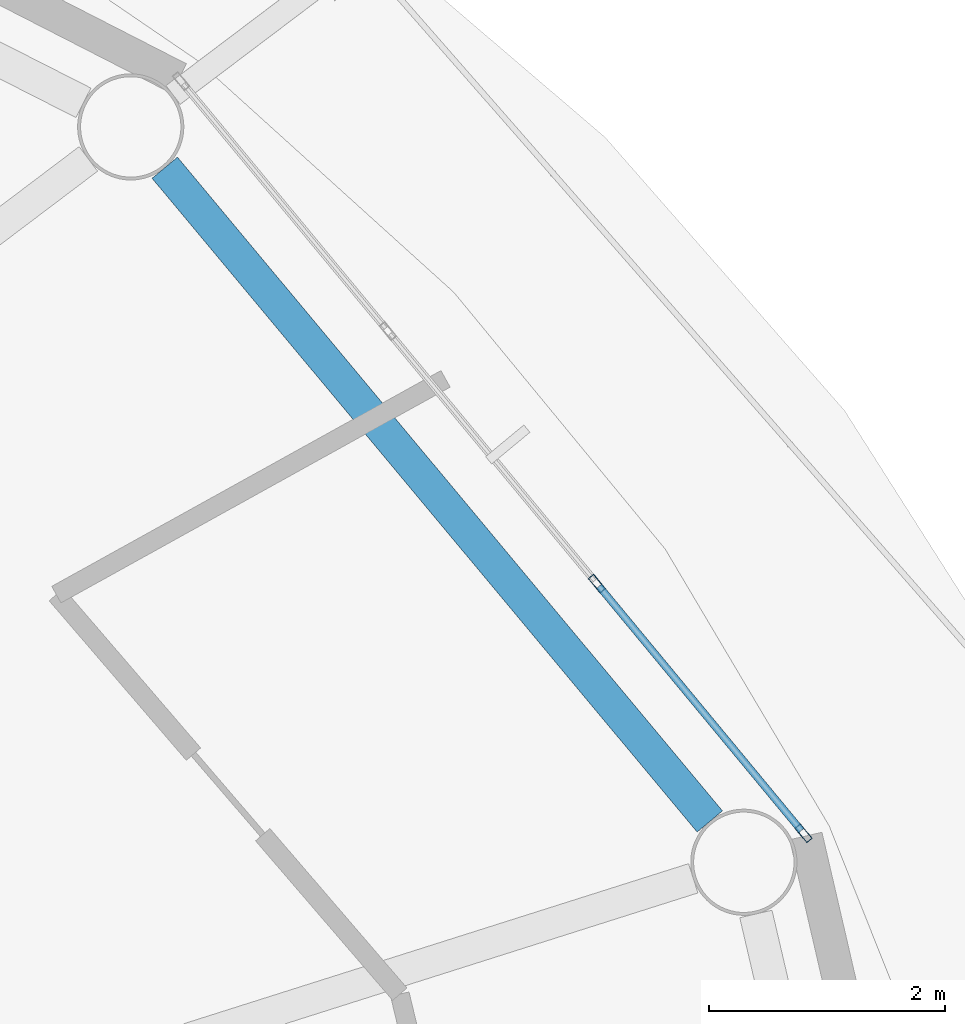
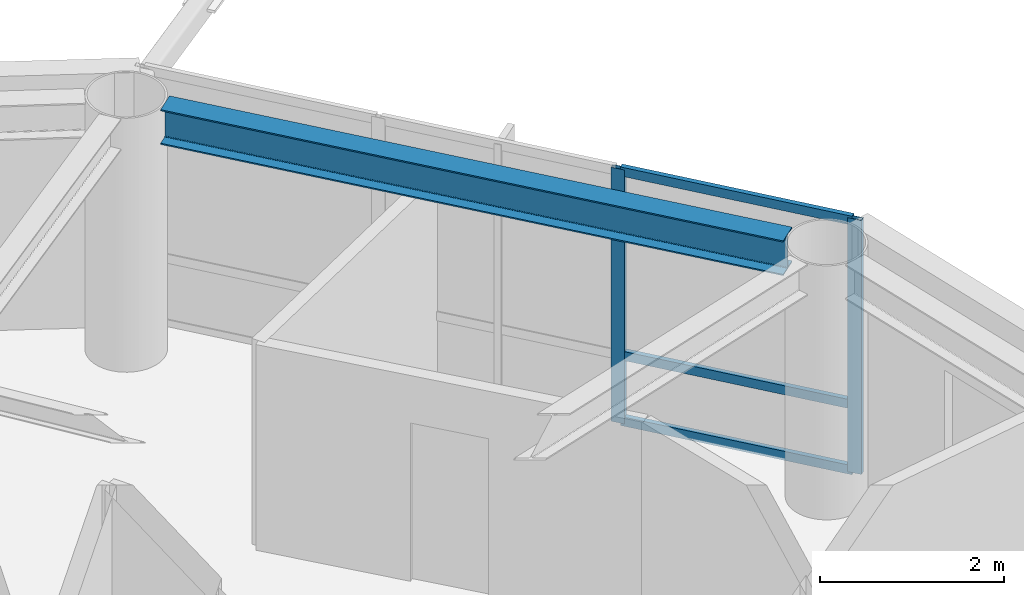
# One storey, part 7 of 22: 5 members, 1 beam, 1 element without a shape of its own.
"""IFC4 building model written with IfcOpenShell, lengths in metres."""

from ifc_helpers import new_model, si_unit, direction, frame, origin, origin_2d, place, context, subcontext, project, spatial, hollow_rectangle, i_section, extrude, material, layer, layer_set, material_profile, profile_set, type_object, element, aggregate, save


model = new_model("IFC4")

# Units and contexts
model_context = context("Model", 3, precision=1e-05, world=origin(), true_north=direction((0.0, 1.0)))
body_context = subcontext(model_context, "Body", "Model", "MODEL_VIEW")
ifc_project = project(units=[si_unit("LENGTHUNIT", "METRE"), si_unit("AREAUNIT", "SQUARE_METRE"), si_unit("VOLUMEUNIT", "CUBIC_METRE"), si_unit("PLANEANGLEUNIT", "RADIAN"), si_unit("MASSUNIT", "GRAM", prefix="KILO")], contexts=[model_context])

# Site, building, storey
site_placement = place(None, origin())
site = spatial("IfcSite", under=ifc_project, at=site_placement, CompositionType="ELEMENT")
building_placement = place(site_placement, origin())
building = spatial("IfcBuilding", under=site, at=building_placement, Name="Sarneth Arch Tower", CompositionType="ELEMENT")
storey_placement = place(building_placement, frame((0.0, 0.0, 294.60009765625)))
storey = spatial("IfcBuildingStorey", under=building, at=storey_placement, Name="L76", CompositionType="ELEMENT", Elevation=294.60009765625)

# Beam
ifc_material_1 = material(Name="Steel S355", Category="steel")
ifc_material_profile_1 = material_profile(ifc_material_1, i_section(OverallWidth=0.280029296875, OverallDepth=0.462890625, WebThickness=0.0107421875, FlangeThickness=0.017333984375, FilletRadius=0.01806640625, at=origin_2d()), Name="W460x113")
ifc_profile_set_1 = profile_set([ifc_material_profile_1], Name="Steel S355")
beam_type = type_object("IfcBeamType", Name="BM-RAD-460A", PredefinedType="BEAM", material=ifc_profile_set_1)
beam_placement = place(storey_placement, frame((70.880615234375, 49.693115234375, 3.138427734375), z_axis=(-0.640390876881, 0.768049168222, 0.0), x_axis=(-0.768049168222, -0.640390876881, 0.0)))
element("IfcBeam", 1, at=beam_placement, inside=storey, type_object=beam_type, Name="L76 Perimeter spandrel beam 02", PredefinedType="BEAM", context=body_context, shape_type="SweptSolid", body=[
    extrude(i_section(OverallWidth=0.280029296875, OverallDepth=0.462890625, WebThickness=0.0107421875, FlangeThickness=0.017333984375, FilletRadius=0.01806640625, at=origin_2d()), origin(), (0.0, 0.0, 1.0), 7.2099609375),
])

# Curtain wall, members
ifc_material_2 = material(Name="Anodised aluminium Type AA25 and solar-control low-e laminated IGU", Category="aluminium")
ifc_layer = layer(ifc_material_2, 0.179931640625)
ifc_layer_set = layer_set([ifc_layer], Name="Anodised aluminium Type AA25 and solar-control low-e laminated IGU")
curtain_wall_type = type_object("IfcCurtainWallType", Name="CW-RES-HIGH", PredefinedType="NOTDEFINED", material=ifc_layer_set)
curtain_wall_placement = place(storey_placement, origin())
curtain_wall = element("IfcCurtainWall", 2, at=curtain_wall_placement, inside=storey, type_object=curtain_wall_type, Name="L76 Unitised curtain wall facet 02", PredefinedType="NOTDEFINED")
ifc_material_3 = material(Name="Anodised Aluminium 6063-T6", Category="aluminium")
ifc_material_profile_2 = material_profile(ifc_material_3, hollow_rectangle(XDim=0.06005859375, YDim=0.159912109375, WallThickness=0.00390625, at=origin_2d()), Name="AL-MULL-160x60x4")
ifc_profile_set_2 = profile_set([ifc_material_profile_2], Name="Anodised Aluminium 6063-T6")
member_type_1 = type_object("IfcMemberType", Name="CW-MULLION", PredefinedType="MULLION", material=ifc_profile_set_2)
member_1_placement = place(storey_placement, frame((71.674560546875, 49.592529296875, 0.0), z_axis=(0.0, 0.0, 1.0), x_axis=(-0.770359245933, -0.637610094184, 0.0)))
member_1 = element("IfcMember", 3, at=member_1_placement, type_object=member_type_1, Name="CW-SYS-6 mullion 1", PredefinedType="MULLION", context=body_context, shape_type="SweptSolid", body=[
    extrude(hollow_rectangle(XDim=0.06005859375, YDim=0.159912109375, WallThickness=0.00390625, at=origin_2d()), origin(), (0.0, 0.0, 1.0), 3.369873046875),
])
member_2_placement = place(storey_placement, frame((69.92333984375, 51.70849609375, 0.0), z_axis=(0.0, 0.0, 1.0), x_axis=(-0.770359245933, -0.637610094184, 0.0)))
member_2 = element("IfcMember", 4, at=member_2_placement, type_object=member_type_1, Name="CW-SYS-6 mullion 2", PredefinedType="MULLION", context=body_context, shape_type="SweptSolid", body=[
    extrude(hollow_rectangle(XDim=0.06005859375, YDim=0.159912109375, WallThickness=0.00390625, at=origin_2d()), origin(), (0.0, 0.0, 1.0), 3.369873046875),
])
ifc_material_4 = material(Name="Anodised Aluminium 6063-T6", Category="aluminium")
ifc_material_profile_3 = material_profile(ifc_material_4, hollow_rectangle(XDim=0.06005859375, YDim=0.1201171875, WallThickness=0.00390625, at=origin_2d()), Name="AL-TRAN-120x60x4")
ifc_profile_set_3 = profile_set([ifc_material_profile_3], Name="Anodised Aluminium 6063-T6")
member_type_2 = type_object("IfcMemberType", Name="CW-TRANSOM", PredefinedType="USERDEFINED", material=ifc_profile_set_3)
member_3_placement = place(storey_placement, frame((71.655517578125, 49.61572265625, 0.02978515625), z_axis=(-0.637651400067, 0.770325056059, 0.0), x_axis=(-0.770325056059, -0.637651400067, 0.0)))
member_3 = element("IfcMember", 5, at=member_3_placement, type_object=member_type_2, Name="CW-SYS-6 transom 1.1", ObjectType="TRANSOM", PredefinedType="USERDEFINED", context=body_context, shape_type="SweptSolid", body=[
    extrude(hollow_rectangle(XDim=0.06005859375, YDim=0.1201171875, WallThickness=0.00390625, at=origin_2d()), origin(), (0.0, 0.0, 1.0), 2.6865234375),
])
member_4_placement = place(storey_placement, frame((71.655517578125, 49.61572265625, 0.89990234375), z_axis=(-0.637651400067, 0.770325056059, 0.0), x_axis=(-0.770325056059, -0.637651400067, 0.0)))
member_4 = element("IfcMember", 6, at=member_4_placement, type_object=member_type_2, Name="CW-SYS-6 transom 1.2", ObjectType="TRANSOM", PredefinedType="USERDEFINED", context=body_context, shape_type="SweptSolid", body=[
    extrude(hollow_rectangle(XDim=0.06005859375, YDim=0.1201171875, WallThickness=0.00390625, at=origin_2d()), origin(), (0.0, 0.0, 1.0), 2.6865234375),
])
member_5_placement = place(storey_placement, frame((71.655517578125, 49.61572265625, 3.33984375), z_axis=(-0.637651400067, 0.770325056059, 0.0), x_axis=(-0.770325056059, -0.637651400067, 0.0)))
member_5 = element("IfcMember", 7, at=member_5_placement, type_object=member_type_2, Name="CW-SYS-6 transom 1.3", ObjectType="TRANSOM", PredefinedType="USERDEFINED", context=body_context, shape_type="SweptSolid", body=[
    extrude(hollow_rectangle(XDim=0.06005859375, YDim=0.1201171875, WallThickness=0.00390625, at=origin_2d()), origin(), (0.0, 0.0, 1.0), 2.6865234375),
])
aggregate(curtain_wall, [member_1, member_2, member_3, member_4, member_5])

save(model, "model.ifc")
